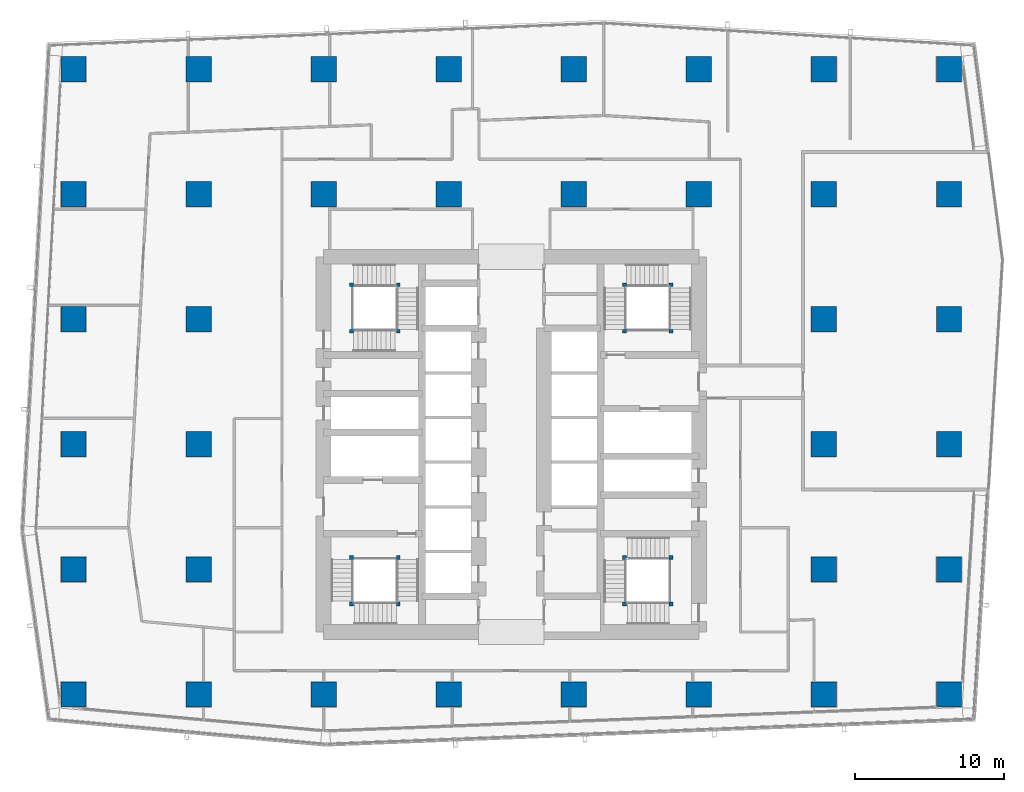
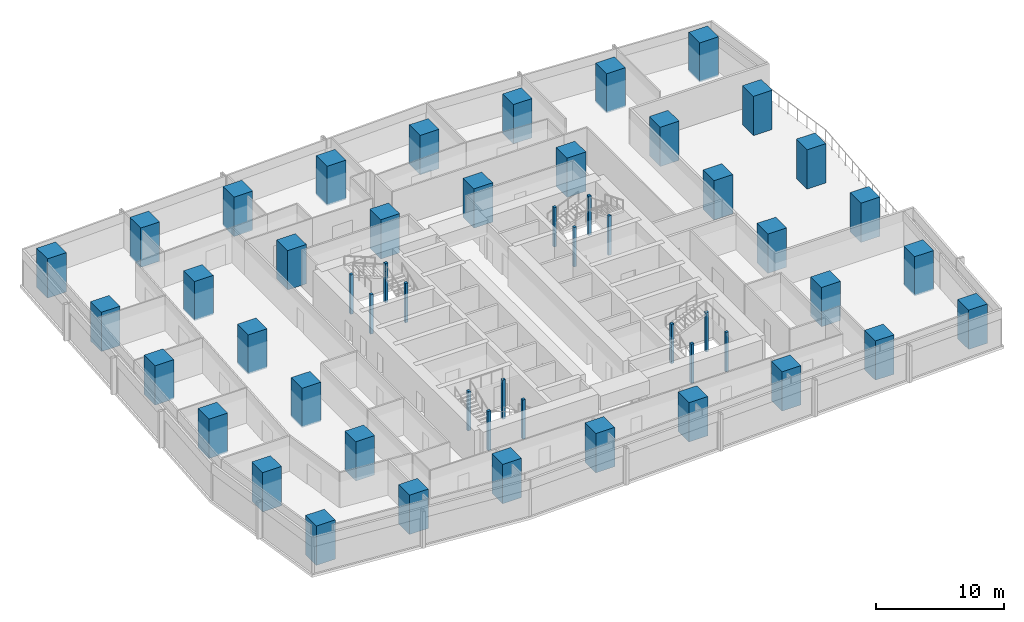
# One storey, part 1 of 40: 52 columns.
"""IFC4 building model written with IfcOpenShell, lengths in metres."""

import ifcopenshell
import ifcopenshell.guid

model = None  # the IFC model being written
_history = None  # IfcOwnerHistory: only IFC2X3 demands one
_inside = {}  # id of a spatial element -> (the spatial element, [elements in it])
_under = {}  # id of a project, library or spatial element -> (it, [spatial elements below it])
_declared = {}  # id of a project -> (the project, [libraries it declares])
_typed = {}  # id of a type object -> (the type object, [elements of that type])
_made_of = {}  # id of a material, layer set ... -> (it, [elements and type objects made of it])


def new_model(schema):
    """Start an empty IFC model of exactly this schema.

    Asked for "IFC4X3", IfcOpenShell would pick the latest addendum, in which some entities
    have other attributes; the version numbers below select the first issue.
    IFC2X3 requires an IfcOwnerHistory on every rooted entity: one is made here for all.
    """
    global model, _history
    if schema == "IFC4X3":
        model = ifcopenshell.file(schema_version=(4, 3, 0, 0))
    else:
        model = ifcopenshell.file(schema=schema)
    _inside.clear()
    _under.clear()
    _declared.clear()
    _typed.clear()
    _made_of.clear()
    _history = None
    if model.schema == "IFC2X3":
        org = make("IfcOrganization", Name="unknown")
        user = make(
            "IfcPersonAndOrganization",
            ThePerson=make("IfcPerson", FamilyName="unknown"),
            TheOrganization=org,
        )
        app = make(
            "IfcApplication",
            ApplicationDeveloper=org,
            Version="unknown",
            ApplicationFullName="unknown",
            ApplicationIdentifier="unknown",
        )
        _history = make(
            "IfcOwnerHistory",
            OwningUser=user,
            OwningApplication=app,
            ChangeAction="ADDED",
            CreationDate=0,
        )
    return model


def make(cls, **values):
    """One entity of the class cls with the attributes given. An attribute that is None is left unset."""
    return model.create_entity(
        cls, **{name: value for name, value in values.items() if value is not None}
    )


def rooted(cls, **values):
    """An entity with a GlobalId (a new one), such as an element, a storey or a relation."""
    return make(cls, GlobalId=ifcopenshell.guid.new(), OwnerHistory=_history, **values)


def si_unit(unit_type, name, prefix=None):
    """IfcSIUnit, for example si_unit("LENGTHUNIT", "METRE", prefix="MILLI")."""
    return make("IfcSIUnit", UnitType=unit_type, Prefix=prefix, Name=name)


def assignment(units):
    """IfcUnitAssignment: the units of a project."""
    return None if units is None else make("IfcUnitAssignment", Units=units)


def point(xyz):
    """IfcCartesianPoint."""
    return None if xyz is None else make("IfcCartesianPoint", Coordinates=xyz)


def direction(xyz):
    """IfcDirection."""
    return None if xyz is None else make("IfcDirection", DirectionRatios=xyz)


def frame(location, z_axis=None, x_axis=None):
    """IfcAxis2Placement3D, a coordinate frame: its origin and axes. An axis left out is left unset."""
    return make(
        "IfcAxis2Placement3D",
        Location=point(location),
        Axis=direction(z_axis),
        RefDirection=direction(x_axis),
    )


def frame_2d(location, x_axis=None):
    """IfcAxis2Placement2D, a coordinate frame in the plane: its origin and x axis."""
    return make(
        "IfcAxis2Placement2D", Location=point(location), RefDirection=direction(x_axis)
    )


def origin():
    """The frame at (0, 0, 0) with its axes left unset."""
    return frame((0.0, 0.0, 0.0))


def origin_2d():
    """The frame at (0, 0) in the plane with its x axis left unset."""
    return frame_2d((0.0, 0.0))


def place(relative_to, where):
    """IfcLocalPlacement: puts the frame where relative to a parent placement (None: the world)."""
    return make(
        "IfcLocalPlacement", PlacementRelTo=relative_to, RelativePlacement=where
    )


def context(
    kind, dimensions, precision=None, world=None, true_north=None, identifier=None
):
    """IfcGeometricRepresentationContext, for example the 3D "Model" context."""
    return make(
        "IfcGeometricRepresentationContext",
        ContextIdentifier=identifier,
        ContextType=kind,
        CoordinateSpaceDimension=dimensions,
        Precision=precision,
        WorldCoordinateSystem=world,
        TrueNorth=true_north,
    )


def subcontext(parent, identifier, kind, view, scale=None):
    """IfcGeometricRepresentationSubContext, for example "Body" below "Model"."""
    return make(
        "IfcGeometricRepresentationSubContext",
        ContextIdentifier=identifier,
        ContextType=kind,
        ParentContext=parent,
        TargetScale=scale,
        TargetView=view,
    )


def project(units=None, contexts=None):
    """IfcProject with its units and contexts."""
    return rooted(
        "IfcProject",
        Name="project",
        RepresentationContexts=contexts,
        UnitsInContext=assignment(units),
    )


def spatial(cls, under=None, at=None, **own):
    """A site, building, storey or space (cls), placed at a placement, below another one or the project."""
    s = rooted(cls, ObjectPlacement=at, **own)
    if under is not None:
        _under.setdefault(under.id(), (under, []))[1].append(s)
    return s


def profile(cls, at=None, kind="AREA", **sizes):
    """A parametric profile (cls). Its sizes go by their IFC names, for example OverallWidth=200.0."""
    return make(cls, ProfileType=kind, Position=at, **sizes)


def rectangle(**sizes):
    """IfcRectangleProfileDef."""
    return profile("IfcRectangleProfileDef", **sizes)


def extrude(swept, where, along, depth):
    """IfcExtrudedAreaSolid: the profile swept, set in the frame where, extruded along a direction by depth."""
    return make(
        "IfcExtrudedAreaSolid",
        SweptArea=swept,
        Position=where,
        ExtrudedDirection=direction(along),
        Depth=depth,
    )


def shape(context_of_items, identifier, shape_type, items):
    """IfcShapeRepresentation: the items that make up one representation, for example the "Body"."""
    return make(
        "IfcShapeRepresentation",
        ContextOfItems=context_of_items,
        RepresentationIdentifier=identifier,
        RepresentationType=shape_type,
        Items=items,
    )


def material(Name=None, Category=None):
    """IfcMaterial."""
    return make("IfcMaterial", Name=Name, Category=Category)


def material_profile(
    of_material, cross_section, Name=None, Category=None, Priority=None
):
    """IfcMaterialProfile: a cross section and its material."""
    return make(
        "IfcMaterialProfile",
        Name=Name,
        Material=of_material,
        Profile=cross_section,
        Priority=Priority,
        Category=Category,
    )


def profile_set(profiles, Name=None, composite=None):
    """IfcMaterialProfileSet."""
    return make(
        "IfcMaterialProfileSet",
        Name=Name,
        MaterialProfiles=profiles,
        CompositeProfile=composite,
    )


def made_of(thing, what):
    """Note that an element or type object is made of a material, layer set ...; save() writes the relation."""
    if what is not None:
        _made_of.setdefault(what.id(), (what, []))[1].append(thing)
    return thing


def type_object(cls, material=None, **own):
    """A type object (cls), such as IfcWallType, which elements share."""
    return made_of(rooted(cls, **own), material)


def element(
    cls,
    number,
    at=None,
    inside=None,
    cuts=None,
    type_object=None,
    material=None,
    context=None,
    identifier="Body",
    shape_type=None,
    held_by="IfcProductDefinitionShape",
    body=None,
    shapes=None,
    **own,
):
    """One element of the class cls, such as IfcWall. Its Tag is "e" and its number.

    at: its placement. inside: the storey or other place that contains it. cuts: it is an
    opening in that element (IfcRelVoidsElement). A single representation is given by context,
    identifier, shape_type and body (its items); several are given by shapes. held_by: the class
    of the entity that holds the representations. save() writes the other relations.
    """
    e = rooted(cls, Tag="e%d" % number, ObjectPlacement=at, **own)
    if body is not None:
        shapes = [shape(context, identifier, shape_type, body)]
    if shapes is not None:
        e.Representation = make(held_by, Representations=shapes)
    if inside is not None:
        _inside.setdefault(inside.id(), (inside, []))[1].append(e)
    if cuts is not None:
        rooted(
            "IfcRelVoidsElement", RelatingBuildingElement=cuts, RelatedOpeningElement=e
        )
    if type_object is not None:
        _typed.setdefault(type_object.id(), (type_object, []))[1].append(e)
    return made_of(e, material)


def aggregate(whole, parts):
    """IfcRelAggregates: a whole, such as a stair, and the parts it consists of."""
    return rooted("IfcRelAggregates", RelatingObject=whole, RelatedObjects=parts)


def save(model, path):
    """Write the relations noted so far, then the file.

    IfcRelAggregates (storeys below a building ...), IfcRelContainedInSpatialStructure (elements
    in a storey), IfcRelDefinesByType, IfcRelAssociatesMaterial and IfcRelDeclares: one each for
    every whole, place, type object, material and project.
    """
    for whole, parts in _under.values():
        aggregate(whole, parts)
    for where, things in _inside.values():
        rooted(
            "IfcRelContainedInSpatialStructure",
            RelatedElements=things,
            RelatingStructure=where,
        )
    for kind, things in _typed.values():
        rooted("IfcRelDefinesByType", RelatedObjects=things, RelatingType=kind)
    for what, things in _made_of.values():
        rooted("IfcRelAssociatesMaterial", RelatedObjects=things, RelatingMaterial=what)
    for by, libraries in _declared.values():
        rooted("IfcRelDeclares", RelatingContext=by, RelatedDefinitions=libraries)
    model.write(path)


model = new_model("IFC4")

# Units and contexts
model_context = context("Model", 3, precision=1e-05, world=origin(), true_north=direction((0.0, 1.0)))
body_context = subcontext(model_context, "Body", "Model", "MODEL_VIEW")
ifc_project = project(units=[si_unit("LENGTHUNIT", "METRE"), si_unit("AREAUNIT", "SQUARE_METRE"), si_unit("VOLUMEUNIT", "CUBIC_METRE"), si_unit("PLANEANGLEUNIT", "RADIAN"), si_unit("MASSUNIT", "GRAM", prefix="KILO")], contexts=[model_context])

# Site, building, storey
site_placement = place(None, origin())
site = spatial("IfcSite", under=ifc_project, at=site_placement, CompositionType="ELEMENT")
building_placement = place(site_placement, origin())
building = spatial("IfcBuilding", under=site, at=building_placement, Name="Rekha Terrace Tower", CompositionType="ELEMENT")
storey_placement = place(building_placement, frame((0.0, 0.0, 99.050048828125)))
storey = spatial("IfcBuildingStorey", under=building, at=storey_placement, Name="L24", CompositionType="ELEMENT", Elevation=99.050048828125)

# Columns
ifc_material_1 = material(Name="Concrete M70", Category="concrete")
ifc_material_profile_1 = material_profile(ifc_material_1, rectangle(XDim=1.699951171875, YDim=1.699951171875, at=origin_2d()), Name="RC 1700x1700")
ifc_profile_set_1 = profile_set([ifc_material_profile_1], Name="Concrete M70")
column_type_1 = type_object("IfcColumnType", Name="C3 1700x1700 column", PredefinedType="COLUMN", material=ifc_profile_set_1)
for number, where, z_axis, x_axis, name in (
    (1, (8.39990234375, 16.800048828125, 0.0), (0.0, 0.0, 1.0), (1.0, 0.0, 0.0), "Column C3 2/C L24"),
    (2, (8.39990234375, 25.199951171875, 0.0), (0.0, 0.0, 1.0), (1.0, 0.0, 0.0), "Column C3 2/D L24"),
    (3, (8.39990234375, 33.60009765625, 0.0), (0.0, 0.0, 1.0), (1.0, 0.0, 0.0), "Column C3 2/E L24"),
    (4, (8.39990234375, 42.0, 0.0), (0.0, 0.0, 1.0), (1.0, 0.0, 0.0), "Column C3 2/F L24"),
    (5, (8.39990234375, 50.39990234375, 0.0), (0.0, 0.0, 1.0), (1.0, 0.0, 0.0), "Column C3 2/G L24"),
    (6, (8.39990234375, 58.800048828125, 0.0), (0.0, 0.0, 1.0), (1.0, 0.0, 0.0), "Column C3 2/H L24"),
    (7, (16.800048828125, 16.800048828125, 0.0), (0.0, 0.0, 1.0), (1.0, 0.0, 0.0), "Column C3 3/C L24"),
    (8, (16.800048828125, 25.199951171875, 0.0), (0.0, 0.0, 1.0), (1.0, 0.0, 0.0), "Column C3 3/D L24"),
    (9, (16.800048828125, 33.60009765625, 0.0), (0.0, 0.0, 1.0), (1.0, 0.0, 0.0), "Column C3 3/E L24"),
    (10, (16.800048828125, 42.0, 0.0), (0.0, 0.0, 1.0), (1.0, 0.0, 0.0), "Column C3 3/F L24"),
    (11, (16.800048828125, 50.39990234375, 0.0), (0.0, 0.0, 1.0), (1.0, 0.0, 0.0), "Column C3 3/G L24"),
    (12, (16.800048828125, 58.800048828125, 0.0), (0.0, 0.0, 1.0), (1.0, 0.0, 0.0), "Column C3 3/H L24"),
    (13, (25.199951171875, 16.800048828125, 0.0), (0.0, 0.0, 1.0), (1.0, 0.0, 0.0), "Column C3 4/C L24"),
    (14, (25.199951171875, 50.39990234375, 0.0), (0.0, 0.0, 1.0), (1.0, 0.0, 0.0), "Column C3 4/G L24"),
    (15, (25.199951171875, 58.800048828125, 0.0), (0.0, 0.0, 1.0), (1.0, 0.0, 0.0), "Column C3 4/H L24"),
    (16, (33.60009765625, 16.800048828125, 0.0), (0.0, 0.0, 1.0), (1.0, 0.0, 0.0), "Column C3 5/C L24"),
    (17, (33.60009765625, 50.39990234375, 0.0), (0.0, 0.0, 1.0), (1.0, 0.0, 0.0), "Column C3 5/G L24"),
    (18, (33.60009765625, 58.800048828125, 0.0), (0.0, 0.0, 1.0), (1.0, 0.0, 0.0), "Column C3 5/H L24"),
    (19, (42.0, 16.800048828125, 0.0), (0.0, 0.0, 1.0), (1.0, 0.0, 0.0), "Column C3 6/C L24"),
    (20, (42.0, 50.39990234375, 0.0), (0.0, 0.0, 1.0), (1.0, 0.0, 0.0), "Column C3 6/G L24"),
    (21, (42.0, 58.800048828125, 0.0), (0.0, 0.0, 1.0), (1.0, 0.0, 0.0), "Column C3 6/H L24"),
    (22, (50.39990234375, 16.800048828125, 0.0), (0.0, 0.0, 1.0), (1.0, 0.0, 0.0), "Column C3 7/C L24"),
    (23, (50.39990234375, 50.39990234375, 0.0), (0.0, 0.0, 1.0), (1.0, 0.0, 0.0), "Column C3 7/G L24"),
    (24, (50.39990234375, 58.800048828125, 0.0), (0.0, 0.0, 1.0), (1.0, 0.0, 0.0), "Column C3 7/H L24"),
    (25, (58.800048828125, 16.800048828125, 0.0), (0.0, 0.0, 1.0), (1.0, 0.0, 0.0), "Column C3 8/C L24"),
    (26, (58.800048828125, 25.199951171875, 0.0), (0.0, 0.0, 1.0), (1.0, 0.0, 0.0), "Column C3 8/D L24"),
    (27, (58.800048828125, 33.60009765625, 0.0), (0.0, 0.0, 1.0), (1.0, 0.0, 0.0), "Column C3 8/E L24"),
    (28, (58.800048828125, 42.0, 0.0), (0.0, 0.0, 1.0), (1.0, 0.0, 0.0), "Column C3 8/F L24"),
    (29, (58.800048828125, 50.39990234375, 0.0), (0.0, 0.0, 1.0), (1.0, 0.0, 0.0), "Column C3 8/G L24"),
    (30, (58.800048828125, 58.800048828125, 0.0), (0.0, 0.0, 1.0), (1.0, 0.0, 0.0), "Column C3 8/H L24"),
    (31, (67.199951171875, 16.800048828125, 0.0), (0.0, 0.0, 1.0), (1.0, 0.0, 0.0), "Column C3 9/C L24"),
    (32, (67.199951171875, 25.199951171875, 0.0), (0.0, 0.0, 1.0), (1.0, 0.0, 0.0), "Column C3 9/D L24"),
    (33, (67.199951171875, 33.60009765625, 0.0), (0.0, 0.0, 1.0), (1.0, 0.0, 0.0), "Column C3 9/E L24"),
    (34, (67.199951171875, 42.0, 0.0), (0.0, 0.0, 1.0), (1.0, 0.0, 0.0), "Column C3 9/F L24"),
    (35, (67.199951171875, 50.39990234375, 0.0), (0.0, 0.0, 1.0), (1.0, 0.0, 0.0), "Column C3 9/G L24"),
    (36, (67.199951171875, 58.800048828125, 0.0), (0.0, 0.0, 1.0), (1.0, 0.0, 0.0), "Column C3 9/H L24"),
):
    element("IfcColumn", number, at=place(storey_placement, frame(where, z_axis=z_axis, x_axis=x_axis)), inside=storey, type_object=column_type_1, Name=name, PredefinedType="COLUMN", context=body_context, shape_type="SweptSolid", body=[
        extrude(rectangle(XDim=1.699951171875, YDim=1.699951171875, at=origin_2d()), origin(), (0.0, 0.0, 1.0), 3.75),
    ])
ifc_material_2 = material(Name="Concrete M60", Category="concrete")
ifc_material_profile_2 = material_profile(ifc_material_2, rectangle(XDim=0.25, YDim=0.25, at=origin_2d()), Name="RC 250x250")
ifc_profile_set_2 = profile_set([ifc_material_profile_2], Name="Concrete M60")
column_type_2 = type_object("IfcColumnType", Name="NP1 250x250 stair newel post", PredefinedType="COLUMN", material=ifc_profile_set_2)
for number, where, z_axis, x_axis, name in (
    (37, (30.199951171875, 26.0, 0.0), (0.0, 0.0, 1.0), (1.0, 0.0, 0.0), "Stair newel post NP1"),
    (38, (30.199951171875, 22.875, 0.0), (0.0, 0.0, 1.0), (1.0, 0.0, 0.0), "Stair newel post NP1"),
    (39, (27.074951171875, 22.875, 0.0), (0.0, 0.0, 1.0), (1.0, 0.0, 0.0), "Stair newel post NP1"),
    (40, (27.074951171875, 26.0, 0.0), (0.0, 0.0, 1.0), (1.0, 0.0, 0.0), "Stair newel post NP1"),
    (41, (45.39990234375, 41.199951171875, 0.0), (0.0, 0.0, 1.0), (1.0, 0.0, 0.0), "Stair newel post NP1"),
    (42, (45.39990234375, 44.324951171875, 0.0), (0.0, 0.0, 1.0), (1.0, 0.0, 0.0), "Stair newel post NP1"),
    (43, (48.52490234375, 44.324951171875, 0.0), (0.0, 0.0, 1.0), (1.0, 0.0, 0.0), "Stair newel post NP1"),
    (44, (48.52490234375, 41.199951171875, 0.0), (0.0, 0.0, 1.0), (1.0, 0.0, 0.0), "Stair newel post NP1"),
    (45, (48.52490234375, 22.875, 0.0), (0.0, 0.0, 1.0), (1.0, 0.0, 0.0), "Stair newel post NP1"),
    (46, (45.39990234375, 22.875, 0.0), (0.0, 0.0, 1.0), (1.0, 0.0, 0.0), "Stair newel post NP1"),
    (47, (45.39990234375, 26.0, 0.0), (0.0, 0.0, 1.0), (1.0, 0.0, 0.0), "Stair newel post NP1"),
    (48, (48.52490234375, 26.0, 0.0), (0.0, 0.0, 1.0), (1.0, 0.0, 0.0), "Stair newel post NP1"),
    (49, (27.074951171875, 41.199951171875, 0.0), (0.0, 0.0, 1.0), (1.0, 0.0, 0.0), "Stair newel post NP1"),
    (50, (30.199951171875, 41.199951171875, 0.0), (0.0, 0.0, 1.0), (1.0, 0.0, 0.0), "Stair newel post NP1"),
    (51, (30.199951171875, 44.324951171875, 0.0), (0.0, 0.0, 1.0), (1.0, 0.0, 0.0), "Stair newel post NP1"),
    (52, (27.074951171875, 44.324951171875, 0.0), (0.0, 0.0, 1.0), (1.0, 0.0, 0.0), "Stair newel post NP1"),
):
    element("IfcColumn", number, at=place(storey_placement, frame(where, z_axis=z_axis, x_axis=x_axis)), inside=storey, type_object=column_type_2, Name=name, PredefinedType="COLUMN", context=body_context, shape_type="SweptSolid", body=[
        extrude(rectangle(XDim=0.25, YDim=0.25, at=origin_2d()), origin(), (0.0, 0.0, 1.0), 3.75),
    ])

save(model, "model.ifc")
